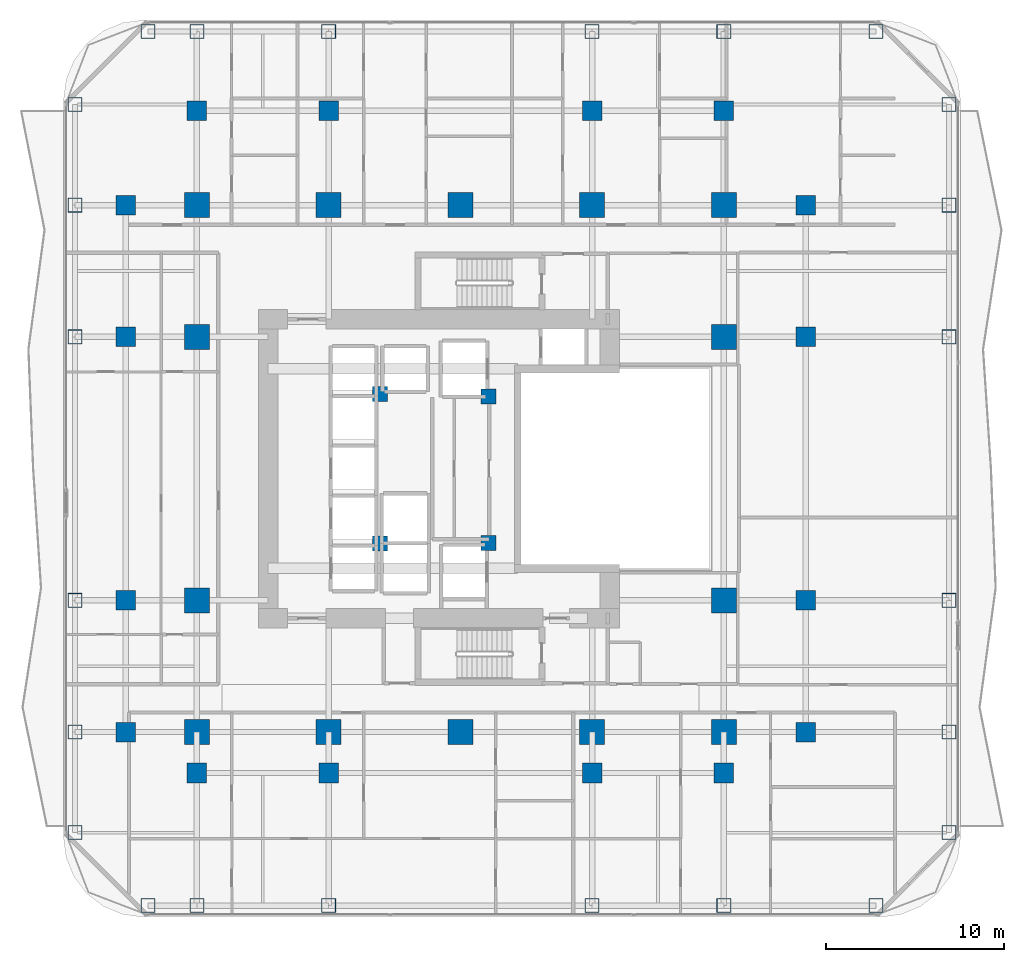
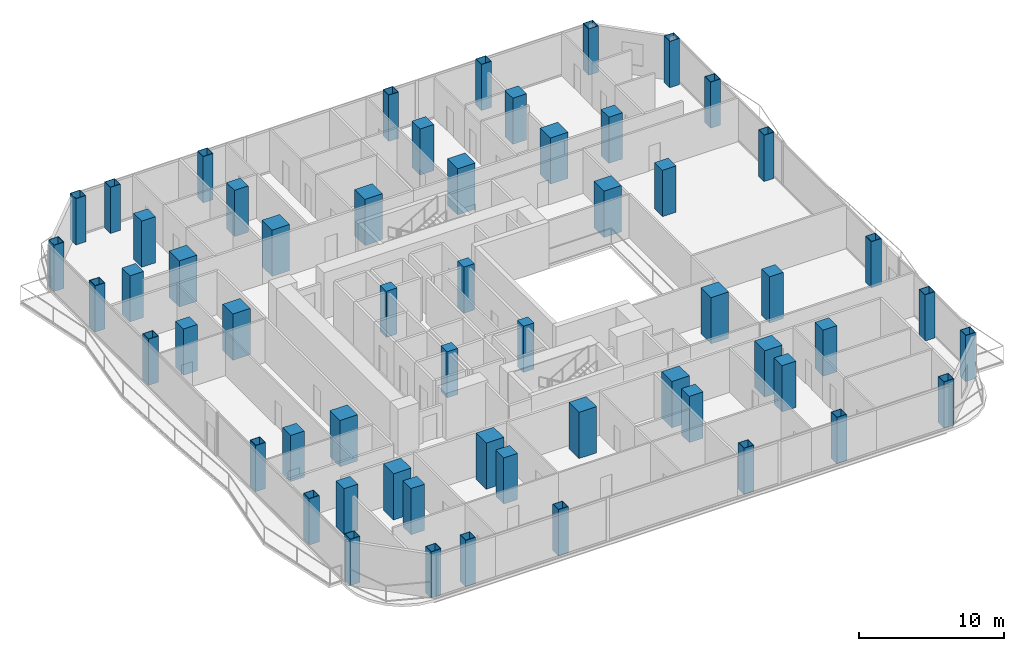
# One storey, part 1 of 27: 58 columns.
"""IFC4 building model written with IfcOpenShell, lengths in metres."""

from ifc_helpers import new_model, si_unit, direction, frame, origin, origin_2d, place, context, subcontext, project, spatial, rectangle, hollow_rectangle, extrude, material, material_profile, profile_set, type_object, element, save


model = new_model("IFC4")

# Units and contexts
model_context = context("Model", 3, precision=1e-05, world=origin(), true_north=direction((0.0, 1.0)))
body_context = subcontext(model_context, "Body", "Model", "MODEL_VIEW")
ifc_project = project(units=[si_unit("LENGTHUNIT", "METRE"), si_unit("AREAUNIT", "SQUARE_METRE"), si_unit("VOLUMEUNIT", "CUBIC_METRE"), si_unit("PLANEANGLEUNIT", "RADIAN"), si_unit("MASSUNIT", "GRAM", prefix="KILO")], contexts=[model_context])

# Site, building, storey
site_placement = place(None, origin())
site = spatial("IfcSite", under=ifc_project, at=site_placement, CompositionType="ELEMENT")
building_placement = place(site_placement, origin())
building = spatial("IfcBuilding", under=site, at=building_placement, Name="Khorvyn Point Tower", CompositionType="ELEMENT")
storey_placement = place(building_placement, frame((0.0, 0.0, 42.300048828125)))
storey = spatial("IfcBuildingStorey", under=building, at=storey_placement, Name="L11", CompositionType="ELEMENT", Elevation=42.300048828125)

# Columns
ifc_material_1 = material(Name="Concrete C40/50", Category="concrete")
ifc_material_profile_1 = material_profile(ifc_material_1, rectangle(XDim=0.85009765625, YDim=0.85009765625, at=origin_2d()))
ifc_profile_set_1 = profile_set([ifc_material_profile_1], Name="Concrete C40/50 RC850x850")
column_type_1 = type_object("IfcColumnType", Name="Concrete C40/50 Column RC850x850", PredefinedType="COLUMN", material=ifc_profile_set_1)
for number, where, z_axis, x_axis, name in (
    (1, (-4.52001953125, -4.199951171875, 0.0), (0.0, 0.0, 1.0), (1.0, 0.0, 0.0), "L11 Crown Core Spine Column 1"),
    (2, (1.580078125, -4.179931640625, 0.0), (0.0, 0.0, 1.0), (1.0, 0.0, 0.0), "L11 Crown Core Spine Column 2"),
    (3, (1.580078125, 4.050048828125, 0.0), (0.0, 0.0, 1.0), (1.0, 0.0, 0.0), "L11 Crown Core Spine Column 3"),
    (4, (-4.52001953125, 4.199951171875, 0.0), (0.0, 0.0, 1.0), (1.0, 0.0, 0.0), "L11 Crown Core Spine Column 4"),
):
    element("IfcColumn", number, at=place(storey_placement, frame(where, z_axis=z_axis, x_axis=x_axis)), inside=storey, type_object=column_type_1, Name=name, PredefinedType="COLUMN", context=body_context, shape_type="SweptSolid", body=[
        extrude(rectangle(XDim=0.85009765625, YDim=0.85009765625, at=origin_2d()), origin(), (0.0, 0.0, 1.0), 3.89990234375),
    ])
ifc_material_2 = material(Name="Concrete C45/55", Category="concrete")
ifc_material_profile_2 = material_profile(ifc_material_2, rectangle(XDim=1.10009765625, YDim=1.10009765625, at=origin_2d()))
ifc_profile_set_2 = profile_set([ifc_material_profile_2], Name="Concrete C45/55 RC1100x1100")
column_type_2 = type_object("IfcColumnType", Name="Concrete C45/55 Column RC1100x1100", PredefinedType="COLUMN", material=ifc_profile_set_2)
for number, where, z_axis, x_axis, name in (
    (5, (-18.800048828125, -14.800048828125, 0.0), (0.0, 0.0, 1.0), (1.0, 0.0, 0.0), "L11 Intermediate Column ICW--14"),
    (6, (-18.800048828125, -7.39990234375, 0.0), (0.0, 0.0, 1.0), (1.0, 0.0, 0.0), "L11 Intermediate Column ICW--7"),
    (7, (-18.800048828125, 7.39990234375, 0.0), (0.0, 0.0, 1.0), (1.0, 0.0, 0.0), "L11 Intermediate Column ICW-7"),
    (8, (-18.800048828125, 14.800048828125, 0.0), (0.0, 0.0, 1.0), (1.0, 0.0, 0.0), "L11 Intermediate Column ICW-14"),
    (9, (19.39990234375, -14.800048828125, 0.0), (0.0, 0.0, 1.0), (1.0, 0.0, 0.0), "L11 Intermediate Column ICE--14"),
    (10, (19.39990234375, -7.39990234375, 0.0), (0.0, 0.0, 1.0), (1.0, 0.0, 0.0), "L11 Intermediate Column ICE--7"),
    (11, (19.39990234375, 7.39990234375, 0.0), (0.0, 0.0, 1.0), (1.0, 0.0, 0.0), "L11 Intermediate Column ICE-7"),
    (12, (19.39990234375, 14.800048828125, 0.0), (0.0, 0.0, 1.0), (1.0, 0.0, 0.0), "L11 Intermediate Column ICE-14"),
    (13, (-14.800048828125, -17.10009765625, 0.0), (0.0, 0.0, 1.0), (1.0, 0.0, 0.0), "L11 Intermediate Column ICS--14"),
    (14, (-7.39990234375, -17.10009765625, 0.0), (0.0, 0.0, 1.0), (1.0, 0.0, 0.0), "L11 Intermediate Column ICS--7"),
    (15, (7.39990234375, -17.10009765625, 0.0), (0.0, 0.0, 1.0), (1.0, 0.0, 0.0), "L11 Intermediate Column ICS-7"),
    (16, (14.800048828125, -17.10009765625, 0.0), (0.0, 0.0, 1.0), (1.0, 0.0, 0.0), "L11 Intermediate Column ICS-14"),
    (17, (-14.800048828125, 20.10009765625, 0.0), (0.0, 0.0, 1.0), (1.0, 0.0, 0.0), "L11 Intermediate Column ICN--14"),
    (18, (-7.39990234375, 20.10009765625, 0.0), (0.0, 0.0, 1.0), (1.0, 0.0, 0.0), "L11 Intermediate Column ICN--7"),
    (19, (7.39990234375, 20.10009765625, 0.0), (0.0, 0.0, 1.0), (1.0, 0.0, 0.0), "L11 Intermediate Column ICN-7"),
    (20, (14.800048828125, 20.10009765625, 0.0), (0.0, 0.0, 1.0), (1.0, 0.0, 0.0), "L11 Intermediate Column ICN-14"),
):
    element("IfcColumn", number, at=place(storey_placement, frame(where, z_axis=z_axis, x_axis=x_axis)), inside=storey, type_object=column_type_2, Name=name, PredefinedType="COLUMN", context=body_context, shape_type="SweptSolid", body=[
        extrude(rectangle(XDim=1.10009765625, YDim=1.10009765625, at=origin_2d()), origin(), (0.0, 0.0, 1.0), 3.89990234375),
    ])
ifc_material_3 = material(Name="Concrete C50/60", Category="concrete")
ifc_material_profile_3 = material_profile(ifc_material_3, rectangle(XDim=1.39990234375, YDim=1.39990234375, at=origin_2d()))
ifc_profile_set_3 = profile_set([ifc_material_profile_3], Name="Concrete C50/60 RC1400x1400")
column_type_3 = type_object("IfcColumnType", Name="Concrete C50/60 Column RC1400x1400", PredefinedType="COLUMN", material=ifc_profile_set_3)
for number, where, z_axis, x_axis, name in (
    (21, (-14.800048828125, -14.800048828125, 0.0), (0.0, 0.0, 1.0), (1.0, 0.0, 0.0), "L11 Mega-Column MC-01"),
    (22, (-7.39990234375, -14.800048828125, 0.0), (0.0, 0.0, 1.0), (1.0, 0.0, 0.0), "L11 Mega-Column MC-02"),
    (23, (0.0, -14.800048828125, 0.0), (0.0, 0.0, 1.0), (1.0, 0.0, 0.0), "L11 Mega-Column MC-03"),
    (24, (7.39990234375, -14.800048828125, 0.0), (0.0, 0.0, 1.0), (1.0, 0.0, 0.0), "L11 Mega-Column MC-04"),
    (25, (14.800048828125, -14.800048828125, 0.0), (0.0, 0.0, 1.0), (1.0, 0.0, 0.0), "L11 Mega-Column MC-05"),
    (26, (-14.800048828125, 14.800048828125, 0.0), (0.0, 0.0, 1.0), (1.0, 0.0, 0.0), "L11 Mega-Column MC-06"),
    (27, (-7.39990234375, 14.800048828125, 0.0), (0.0, 0.0, 1.0), (1.0, 0.0, 0.0), "L11 Mega-Column MC-07"),
    (28, (0.0, 14.800048828125, 0.0), (0.0, 0.0, 1.0), (1.0, 0.0, 0.0), "L11 Mega-Column MC-08"),
    (29, (7.39990234375, 14.800048828125, 0.0), (0.0, 0.0, 1.0), (1.0, 0.0, 0.0), "L11 Mega-Column MC-09"),
    (30, (14.800048828125, 14.800048828125, 0.0), (0.0, 0.0, 1.0), (1.0, 0.0, 0.0), "L11 Mega-Column MC-10"),
    (31, (-14.800048828125, -7.39990234375, 0.0), (0.0, 0.0, 1.0), (1.0, 0.0, 0.0), "L11 Mega-Column MC-11"),
    (32, (-14.800048828125, 7.39990234375, 0.0), (0.0, 0.0, 1.0), (1.0, 0.0, 0.0), "L11 Mega-Column MC-12"),
    (33, (14.800048828125, -7.39990234375, 0.0), (0.0, 0.0, 1.0), (1.0, 0.0, 0.0), "L11 Mega-Column MC-13"),
    (34, (14.800048828125, 7.39990234375, 0.0), (0.0, 0.0, 1.0), (1.0, 0.0, 0.0), "L11 Mega-Column MC-14"),
):
    element("IfcColumn", number, at=place(storey_placement, frame(where, z_axis=z_axis, x_axis=x_axis)), inside=storey, type_object=column_type_3, Name=name, PredefinedType="COLUMN", context=body_context, shape_type="SweptSolid", body=[
        extrude(rectangle(XDim=1.39990234375, YDim=1.39990234375, at=origin_2d()), origin(), (0.0, 0.0, 1.0), 3.89990234375),
    ])
ifc_material_4 = material(Name="Steel S450", Category="steel")
ifc_material_profile_4 = material_profile(ifc_material_4, hollow_rectangle(XDim=0.800048828125, YDim=0.800048828125, WallThickness=0.035888671875, at=origin_2d()))
ifc_profile_set_4 = profile_set([ifc_material_profile_4], Name="Steel S450 BOX800x800x36")
column_type_4 = type_object("IfcColumnType", Name="Steel S450 Structural Column BOX800x800x36", PredefinedType="COLUMN", material=ifc_profile_set_4)
for number, where, z_axis, x_axis, name in (
    (35, (-17.550048828125, -24.550048828125, 0.0), (0.0, 0.0, 1.0), (1.0, 0.0, 0.0), "L11 Perimeter Tube Column TC-01"),
    (36, (23.35009765625, -24.550048828125, 0.0), (0.0, 0.0, 1.0), (1.0, 0.0, 0.0), "L11 Perimeter Tube Column TC-02"),
    (37, (-17.550048828125, 24.550048828125, 0.0), (0.0, 0.0, 1.0), (1.0, 0.0, 0.0), "L11 Perimeter Tube Column TC-03"),
    (38, (23.35009765625, 24.550048828125, 0.0), (0.0, 0.0, 1.0), (1.0, 0.0, 0.0), "L11 Perimeter Tube Column TC-04"),
    (39, (-21.64990234375, -20.449951171875, 0.0), (0.0, 0.0, 1.0), (1.0, 0.0, 0.0), "L11 Perimeter Tube Column TC-05"),
    (40, (-21.64990234375, 20.449951171875, 0.0), (0.0, 0.0, 1.0), (1.0, 0.0, 0.0), "L11 Perimeter Tube Column TC-06"),
    (41, (27.449951171875, -20.449951171875, 0.0), (0.0, 0.0, 1.0), (1.0, 0.0, 0.0), "L11 Perimeter Tube Column TC-07"),
    (42, (27.449951171875, 20.449951171875, 0.0), (0.0, 0.0, 1.0), (1.0, 0.0, 0.0), "L11 Perimeter Tube Column TC-08"),
    (43, (-14.800048828125, -24.550048828125, 0.0), (0.0, 0.0, 1.0), (1.0, 0.0, 0.0), "L11 Perimeter Tube Column TC-09"),
    (44, (-14.800048828125, 24.550048828125, 0.0), (0.0, 0.0, 1.0), (1.0, 0.0, 0.0), "L11 Perimeter Tube Column TC-10"),
    (45, (-7.39990234375, -24.550048828125, 0.0), (0.0, 0.0, 1.0), (1.0, 0.0, 0.0), "L11 Perimeter Tube Column TC-11"),
    (46, (-7.39990234375, 24.550048828125, 0.0), (0.0, 0.0, 1.0), (1.0, 0.0, 0.0), "L11 Perimeter Tube Column TC-12"),
    (47, (7.39990234375, -24.550048828125, 0.0), (0.0, 0.0, 1.0), (1.0, 0.0, 0.0), "L11 Perimeter Tube Column TC-13"),
    (48, (7.39990234375, 24.550048828125, 0.0), (0.0, 0.0, 1.0), (1.0, 0.0, 0.0), "L11 Perimeter Tube Column TC-14"),
    (49, (14.800048828125, -24.550048828125, 0.0), (0.0, 0.0, 1.0), (1.0, 0.0, 0.0), "L11 Perimeter Tube Column TC-15"),
    (50, (14.800048828125, 24.550048828125, 0.0), (0.0, 0.0, 1.0), (1.0, 0.0, 0.0), "L11 Perimeter Tube Column TC-16"),
    (51, (-21.64990234375, -14.800048828125, 0.0), (0.0, 0.0, 1.0), (1.0, 0.0, 0.0), "L11 Perimeter Tube Column TC-17"),
    (52, (27.449951171875, -14.800048828125, 0.0), (0.0, 0.0, 1.0), (1.0, 0.0, 0.0), "L11 Perimeter Tube Column TC-18"),
    (53, (-21.64990234375, -7.39990234375, 0.0), (0.0, 0.0, 1.0), (1.0, 0.0, 0.0), "L11 Perimeter Tube Column TC-19"),
    (54, (27.449951171875, -7.39990234375, 0.0), (0.0, 0.0, 1.0), (1.0, 0.0, 0.0), "L11 Perimeter Tube Column TC-20"),
    (55, (-21.64990234375, 7.39990234375, 0.0), (0.0, 0.0, 1.0), (1.0, 0.0, 0.0), "L11 Perimeter Tube Column TC-21"),
    (56, (27.449951171875, 7.39990234375, 0.0), (0.0, 0.0, 1.0), (1.0, 0.0, 0.0), "L11 Perimeter Tube Column TC-22"),
    (57, (-21.64990234375, 14.800048828125, 0.0), (0.0, 0.0, 1.0), (1.0, 0.0, 0.0), "L11 Perimeter Tube Column TC-23"),
    (58, (27.449951171875, 14.800048828125, 0.0), (0.0, 0.0, 1.0), (1.0, 0.0, 0.0), "L11 Perimeter Tube Column TC-24"),
):
    element("IfcColumn", number, at=place(storey_placement, frame(where, z_axis=z_axis, x_axis=x_axis)), inside=storey, type_object=column_type_4, Name=name, PredefinedType="COLUMN", context=body_context, shape_type="SweptSolid", body=[
        extrude(hollow_rectangle(XDim=0.800048828125, YDim=0.800048828125, WallThickness=0.035888671875, at=origin_2d()), origin(), (0.0, 0.0, 1.0), 3.89990234375),
    ])

save(model, "model.ifc")
